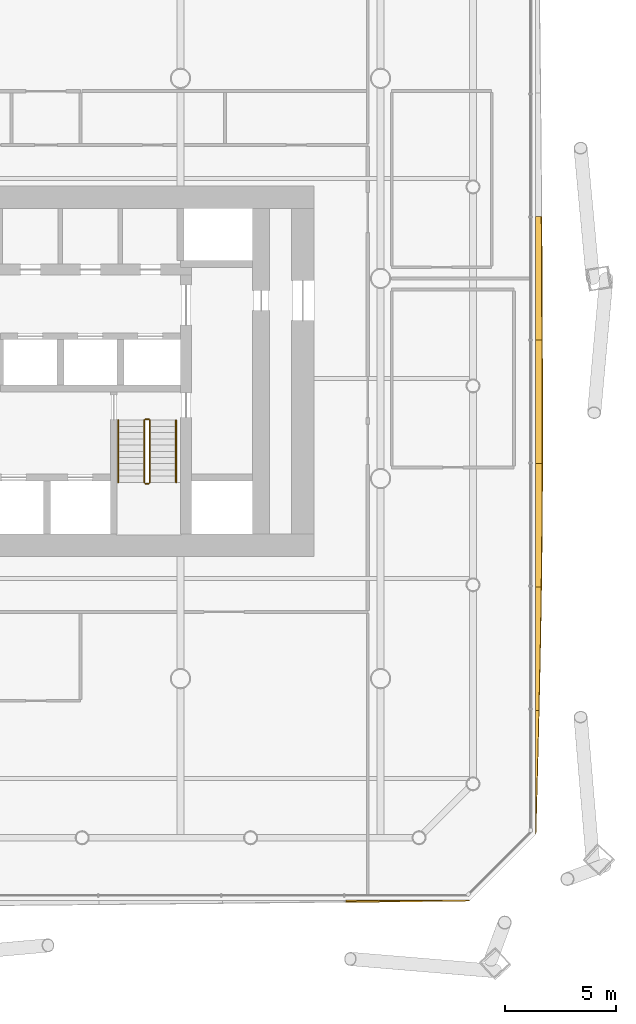
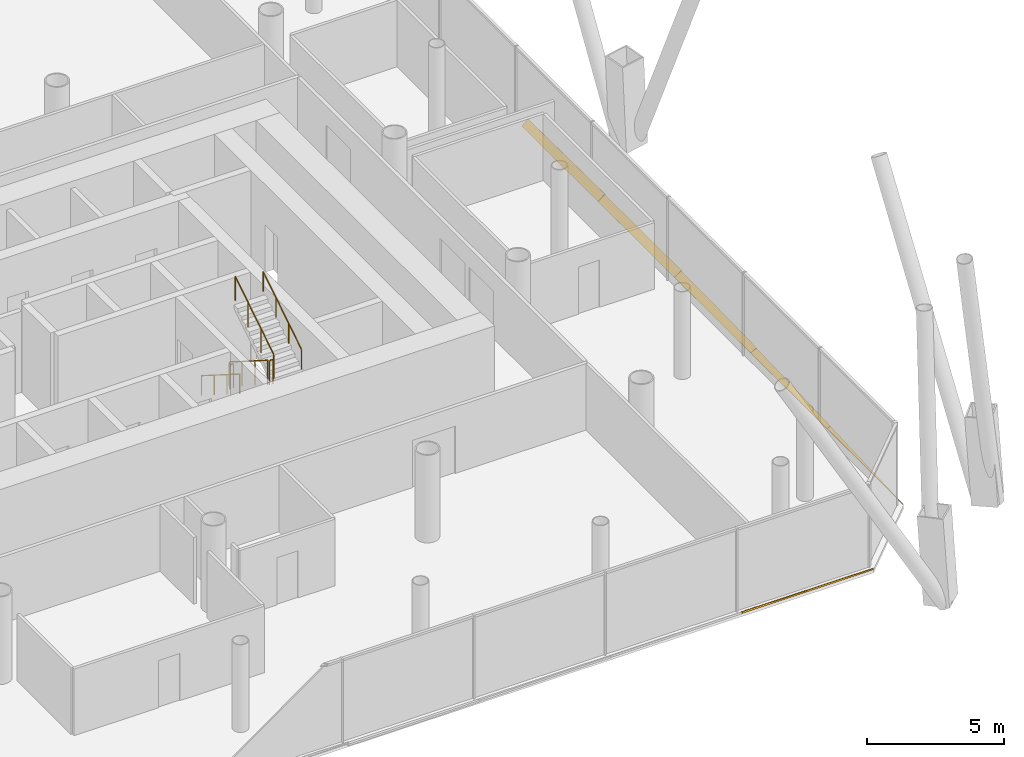
# One storey, part 23 of 25: 6 railings, 6 shading devices.
"""IFC4 building model written with IfcOpenShell, lengths in metres."""

from ifc_helpers import new_model, si_unit, direction, frame, origin, origin_2d, place, context, subcontext, project, spatial, polyline, circle, outline, extrude, material, layer, layer_set, type_object, element, save


model = new_model("IFC4")

# Units and contexts
model_context = context("Model", 3, precision=1e-05, world=origin(), true_north=direction((0.0, 1.0)))
body_context = subcontext(model_context, "Body", "Model", "MODEL_VIEW")
ifc_project = project(units=[si_unit("LENGTHUNIT", "METRE"), si_unit("AREAUNIT", "SQUARE_METRE"), si_unit("VOLUMEUNIT", "CUBIC_METRE"), si_unit("PLANEANGLEUNIT", "RADIAN"), si_unit("MASSUNIT", "GRAM", prefix="KILO")], contexts=[model_context])

# Site, building, storey
site_placement = place(None, origin())
site = spatial("IfcSite", under=ifc_project, at=site_placement, CompositionType="ELEMENT")
building_placement = place(site_placement, origin())
building = spatial("IfcBuilding", under=site, at=building_placement, Name="Tskaro Facet Tower", CompositionType="ELEMENT")
storey_placement = place(building_placement, frame((0.0, 0.0, 10.800048828125)))
storey = spatial("IfcBuildingStorey", under=building, at=storey_placement, Name="L01", CompositionType="ELEMENT", Elevation=10.800048828125)

# Shading devices
ifc_material_1 = material(Name="Bronze anodised aluminium 6063-T6", Category="aluminium")
ifc_layer = layer(ifc_material_1, 0.06005859375, Name="Bronze anodised aluminium 6063-T6")
ifc_layer_set = layer_set([ifc_layer], Name="Bronze anodised aluminium 6063-T6")
shading_device_type = type_object("IfcShadingDeviceType", Name="Bronze sun blade (FN1)", PredefinedType="USERDEFINED", material=ifc_layer_set)
shading_device_1_placement = place(storey_placement, frame((16.4443359375, -27.965576171875, 0.049072265625), z_axis=(-1.0784593e-05, 0.57366820156, 0.819087781866), x_axis=(0.999999999942, 6.186778e-06, 8.833528e-06)))
element("IfcShadingDevice", 1, at=shading_device_1_placement, inside=storey, type_object=shading_device_type, Name="Fin blade south 9", ObjectType="FIN", PredefinedType="USERDEFINED", context=body_context, shape_type="SweptSolid", body=[
    extrude(outline(polyline([(0.0, 0.0), (5.555664062176918, -4.7058305048141744e-21), (4.861328125121159, -0.010160405620926141), (4.166748046794236, -0.0199807829255663), (3.4724121090922995, -0.029801160230206458), (2.7778320314115557, -0.0399615658511326), (2.083496093709618, -0.04978194315577275), (1.3889160153826954, -0.059602320460412916), (0.694580077680758, -0.06942269776505307), (-6.46165044724406e-10, -0.07924307506969322), (0.0, 0.0)])), origin(), (0.0, 0.0, -1.0), 0.06005859375),
])
shading_device_2_placement = place(storey_placement, frame((24.9794921875, -25.0, 0.056396484375), z_axis=(-0.341617246585, -1.1224464e-05, 0.939839165341), x_axis=(-3.83447e-06, 0.999999999937, 1.0549191e-05)))
element("IfcShadingDevice", 2, at=shading_device_2_placement, inside=storey, type_object=shading_device_type, Name="Fin blade east 1", ObjectType="FIN", PredefinedType="USERDEFINED", context=body_context, shape_type="SweptSolid", body=[
    extrude(outline(polyline([(0.0, 0.0), (5.555664062150025, -4.7058305048141744e-21), (5.555664062847828, -0.15276648438217144), (4.861083984973782, -0.13484916661415206), (4.166748046085386, -0.11661899327679495), (3.4721679684443045, -0.09792991409695707), (2.777832030725022, -0.07869852642654113), (2.0832519533169047, -0.05923768583488479), (1.3889160139582861, -0.039693442595131134), (0.6943359384224688, -0.01977369616099404), (0.0, 0.0)])), origin(), (0.0, 0.0, -1.0), 0.06005859375),
])
shading_device_3_placement = place(storey_placement, frame((24.974609375, -19.4443359375, 0.054443359375), z_axis=(-0.422153865511, -8.359109e-06, 0.9065241937), x_axis=(-3.52883e-06, 0.999999999965, 7.577735e-06)))
element("IfcShadingDevice", 3, at=shading_device_3_placement, inside=storey, type_object=shading_device_type, Name="Fin blade east 2", ObjectType="FIN", PredefinedType="USERDEFINED", context=body_context, shape_type="SweptSolid", body=[
    extrude(outline(polyline([(0.0, 0.0), (5.555419921680909, 0.0), (5.5554199224469185, -0.2779758245237871), (4.861083985016344, -0.2663977928731533), (4.166503905718334, -0.2534039695806157), (3.4721679696299077, -0.239746188138372), (2.7775878899509836, -0.22511525382069522), (2.0832519524931414, -0.20949597706150133), (1.388671875144868, -0.19310967724402572), (0.6943359364445814, -0.17607460884292803), (3.2888716980309637e-10, -0.1583755822921243), (0.0, 0.0)])), origin(), (0.0, 0.0, -1.0), 0.06005859375),
])
shading_device_4_placement = place(storey_placement, frame((24.969970703125, -13.888916015625, 0.052001953125), z_axis=(-0.499761764661, 5.631324e-06, 0.86616290532), x_axis=(2.81432e-06, 0.999999999984, -4.877644e-06)))
element("IfcShadingDevice", 4, at=shading_device_4_placement, inside=storey, type_object=shading_device_type, Name="Fin blade east 3", ObjectType="FIN", PredefinedType="USERDEFINED", context=body_context, shape_type="SweptSolid", body=[
    extrude(outline(polyline([(0.0, 0.0), (5.5556640624119105, 0.0), (5.555664062179546, -0.3453078922494933), (4.8610839845229945, -0.34300610707712786), (4.1667480471247424, -0.3396144353933683), (3.472167968551447, -0.3345879339425176), (2.777832031427281, -0.32834953383069554), (2.083251952624331, -0.32080978165441953), (1.388916015270511, -0.3120581308171721), (0.6945800787408238, -0.30209458131895334), (-6.584777553627948e-10, -0.29095169190585785), (0.0, 0.0)])), origin(), (0.0, 0.0, -1.0), 0.06005859375),
])
shading_device_5_placement = place(storey_placement, frame((24.965576171875, -8.333251953125, 0.049072265625), z_axis=(-0.573588005016, 7.099246e-06, 0.81914394367), x_axis=(4.072042e-06, 0.999999999975, -5.815304e-06)))
element("IfcShadingDevice", 5, at=shading_device_5_placement, inside=storey, type_object=shading_device_type, Name="Fin blade east 4", ObjectType="FIN", PredefinedType="USERDEFINED", context=body_context, shape_type="SweptSolid", body=[
    extrude(outline(polyline([(0.0, 0.0), (5.555419921735005, 2.352811854830518e-21), (5.555419921981499, -0.3567338986360623), (4.861083984927841, -0.3593739922697047), (4.166503906680641, -0.3614740771405512), (3.4721679680642845, -0.36337417569702013), (2.777587889674135, -0.36459422935665253), (2.0832519533287317, -0.3656742468822442), (1.3889160154206277, -0.3660142693306625), (0.8332519525090292, -0.3663542917790808), (0.6943359383072817, -0.36621425564504007), (-3.1232091704808767e-10, -0.36513423811944834), (0.0, 0.0)])), origin(), (0.0, 0.0, -1.0), 0.06005859375),
])
shading_device_6_placement = place(storey_placement, frame((24.96142578125, -2.77783203125, 0.0458984375), z_axis=(-0.642758693253, -1.9265185e-05, 0.766068705716), x_axis=(-1.2382865e-05, 0.999999999814, 1.4758455e-05)))
element("IfcShadingDevice", 6, at=shading_device_6_placement, inside=storey, type_object=shading_device_type, Name="Fin blade east 5", ObjectType="FIN", PredefinedType="USERDEFINED", context=body_context, shape_type="SweptSolid", body=[
    extrude(outline(polyline([(0.0, 0.0), (5.555664061469015, 0.0), (5.555664064502376, -0.3443203948278517), (4.86108398671644, -0.3503847123340166), (4.166748045372342, -0.3559481543292923), (3.472167966426449, -0.3613245678319269), (2.777832030548693, -0.36617000084015533), (2.08349609409096, -0.3706714818466187), (1.388916012825155, -0.3746720873421929), (0.694580078230626, -0.378298635852485), (-1.1719745976866346e-09, -0.38142430885188794), (0.0, 0.0)])), origin(), (0.0, 0.0, -1.0), 0.06005859375),
])

# Railings
ifc_material_2 = material(Name="Stainless steel", Category="steel")
railing_type_1 = type_object("IfcRailingType", Name="RL-GUARD-1100", PredefinedType="GUARDRAIL", material=ifc_material_2)
railing_1_placement = place(storey_placement, frame((7.375, -6.375, 0.17724609375)))
element("IfcRailing", 7, at=railing_1_placement, inside=storey, type_object=railing_type_1, Name="L01 ST-2 stair guard 1", PredefinedType="GUARDRAIL", context=body_context, shape_type="SweptSolid", body=[
    extrude(circle(Radius=0.02392578125, at=origin_2d()), frame((0.0, 0.0, 1.076171875), z_axis=(0.0, -0.844908973607, 0.534910110503), x_axis=(1.0, 0.0, 0.0)), (0.0, 0.0, 1.0), 3.31396484375),
    extrude(circle(Radius=0.02099609375, at=origin_2d()), origin(), (0.0, 0.0, 1.0), 1.052001953125),
    extrude(circle(Radius=0.02099609375, at=origin_2d()), frame((0.0, -0.933349609375, 0.5908203125)), (0.0, 0.0, 1.0), 1.052001953125),
    extrude(circle(Radius=0.02099609375, at=origin_2d()), frame((0.0, -1.86669921875, 1.181884765625)), (0.0, 0.0, 1.0), 1.052001953125),
    extrude(circle(Radius=0.02099609375, at=origin_2d()), frame((0.0, -2.800048828125, 1.772705078125)), (0.0, 0.0, 1.0), 1.052001953125),
])
railing_2_placement = place(storey_placement, frame((7.425048828125, -9.22509765625, 1.949951171875)))
element("IfcRailing", 8, at=railing_2_placement, inside=storey, type_object=railing_type_1, Name="L01 ST-2 stair guard 2", PredefinedType="GUARDRAIL", context=body_context, shape_type="SweptSolid", body=[
    extrude(circle(Radius=0.02392578125, at=origin_2d()), frame((0.0, 0.0, 1.076171875), z_axis=(1.0, 0.0, 0.0), x_axis=(0.0, 1.0, 0.0)), (0.0, 0.0, 1.0), 0.14990234375),
    extrude(circle(Radius=0.02099609375, at=origin_2d()), origin(), (0.0, 0.0, 1.0), 1.052001953125),
    extrude(circle(Radius=0.02099609375, at=origin_2d()), frame((0.14990234375, 0.0, 0.0)), (0.0, 0.0, 1.0), 1.052001953125),
])
railing_3_placement = place(storey_placement, frame((7.625, -9.175048828125, 2.127197265625)))
element("IfcRailing", 9, at=railing_3_placement, inside=storey, type_object=railing_type_1, Name="L01 ST-2 stair guard 3", PredefinedType="GUARDRAIL", context=body_context, shape_type="SweptSolid", body=[
    extrude(circle(Radius=0.02392578125, at=origin_2d()), frame((0.0, 0.0, 1.076171875), z_axis=(0.0, 0.844908973607, 0.534910110503), x_axis=(-1.0, 0.0, 0.0)), (0.0, 0.0, 1.0), 3.31396484375),
    extrude(circle(Radius=0.02099609375, at=origin_2d()), origin(), (0.0, 0.0, 1.0), 1.052001953125),
    extrude(circle(Radius=0.02099609375, at=origin_2d()), frame((0.0, 0.933349609375, 0.5908203125)), (0.0, 0.0, 1.0), 1.052001953125),
    extrude(circle(Radius=0.02099609375, at=origin_2d()), frame((0.0, 1.86669921875, 1.181884765625)), (0.0, 0.0, 1.0), 1.052001953125),
    extrude(circle(Radius=0.02099609375, at=origin_2d()), frame((0.0, 2.800048828125, 1.772705078125)), (0.0, 0.0, 1.0), 1.052001953125),
])
railing_4_placement = place(storey_placement, frame((7.425048828125, -6.324951171875, 0.0)))
element("IfcRailing", 10, at=railing_4_placement, inside=storey, type_object=railing_type_1, Name="L01 ST-2 stair guard 4", PredefinedType="GUARDRAIL", context=body_context, shape_type="SweptSolid", body=[
    extrude(circle(Radius=0.02392578125, at=origin_2d()), frame((0.0, 0.0, 1.076171875), z_axis=(1.0, 0.0, 0.0), x_axis=(0.0, 1.0, 0.0)), (0.0, 0.0, 1.0), 0.14990234375),
    extrude(circle(Radius=0.02099609375, at=origin_2d()), origin(), (0.0, 0.0, 1.0), 1.052001953125),
    extrude(circle(Radius=0.02099609375, at=origin_2d()), frame((0.14990234375, 0.0, 0.0)), (0.0, 0.0, 1.0), 1.052001953125),
])
railing_type_2 = type_object("IfcRailingType", Name="RL-HANDRAIL-900", PredefinedType="HANDRAIL", material=ifc_material_2)
railing_5_placement = place(storey_placement, frame((6.199951171875, -6.375, 0.17724609375)))
element("IfcRailing", 11, at=railing_5_placement, inside=storey, type_object=railing_type_2, Name="L01 ST-2 stair handrail 1", PredefinedType="HANDRAIL", context=body_context, shape_type="SweptSolid", body=[
    extrude(circle(Radius=0.02392578125, at=origin_2d()), frame((0.0, 0.0, 0.8759765625), z_axis=(0.0, -0.844908973607, 0.534910110503), x_axis=(1.0, 0.0, 0.0)), (0.0, 0.0, 1.0), 3.31396484375),
    extrude(circle(Radius=0.02099609375, at=origin_2d()), origin(), (0.0, 0.0, 1.0), 0.851806640625),
    extrude(circle(Radius=0.02099609375, at=origin_2d()), frame((0.0, -0.933349609375, 0.5908203125)), (0.0, 0.0, 1.0), 0.851806640625),
    extrude(circle(Radius=0.02099609375, at=origin_2d()), frame((0.0, -1.86669921875, 1.181884765625)), (0.0, 0.0, 1.0), 0.851806640625),
    extrude(circle(Radius=0.02099609375, at=origin_2d()), frame((0.0, -2.800048828125, 1.772705078125)), (0.0, 0.0, 1.0), 0.851806640625),
])
railing_6_placement = place(storey_placement, frame((8.800048828125, -9.175048828125, 2.127197265625)))
element("IfcRailing", 12, at=railing_6_placement, inside=storey, type_object=railing_type_2, Name="L01 ST-2 stair handrail 2", PredefinedType="HANDRAIL", context=body_context, shape_type="SweptSolid", body=[
    extrude(circle(Radius=0.02392578125, at=origin_2d()), frame((0.0, 0.0, 0.8759765625), z_axis=(0.0, 0.844908973607, 0.534910110503), x_axis=(-1.0, 0.0, 0.0)), (0.0, 0.0, 1.0), 3.31396484375),
    extrude(circle(Radius=0.02099609375, at=origin_2d()), origin(), (0.0, 0.0, 1.0), 0.851806640625),
    extrude(circle(Radius=0.02099609375, at=origin_2d()), frame((0.0, 0.933349609375, 0.5908203125)), (0.0, 0.0, 1.0), 0.851806640625),
    extrude(circle(Radius=0.02099609375, at=origin_2d()), frame((0.0, 1.86669921875, 1.181884765625)), (0.0, 0.0, 1.0), 0.851806640625),
    extrude(circle(Radius=0.02099609375, at=origin_2d()), frame((0.0, 2.800048828125, 1.772705078125)), (0.0, 0.0, 1.0), 0.851806640625),
])

save(model, "model.ifc")
